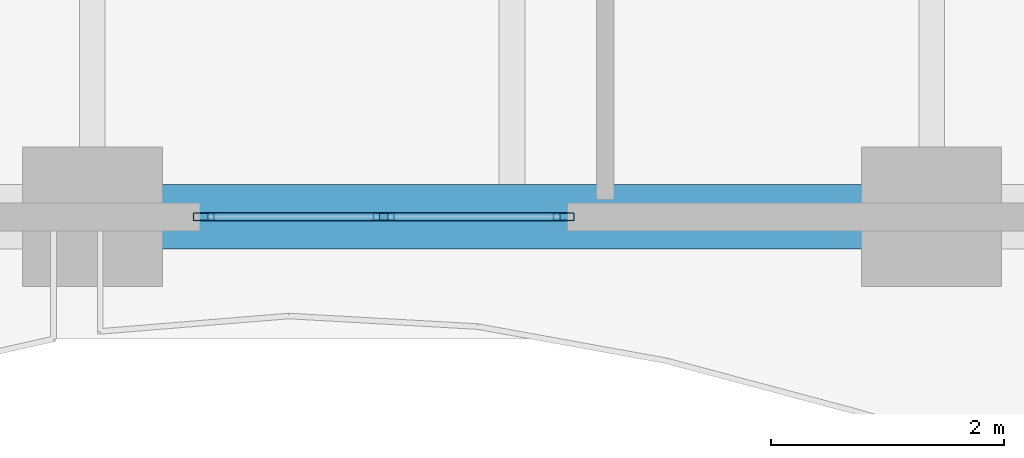
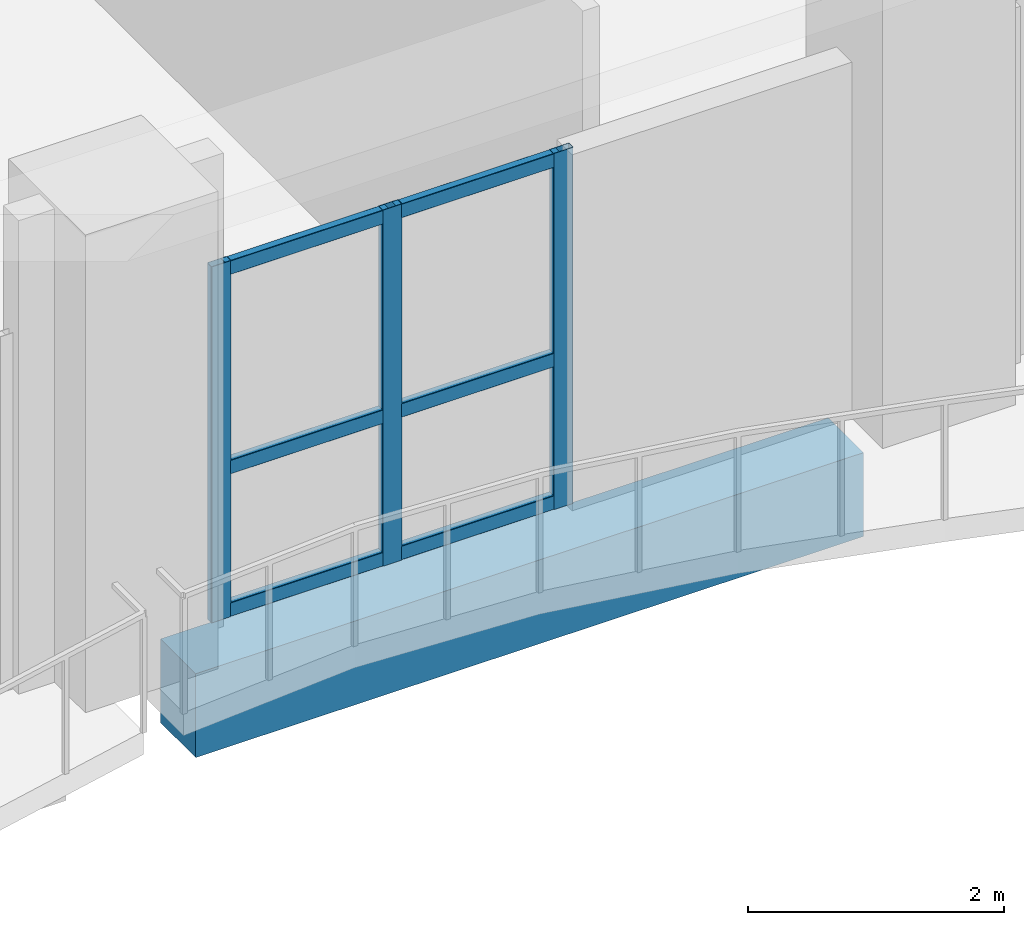
# One storey, part 6 of 37: 9 members, 1 beam, 1 element without a shape of its own.
"""IFC4 building model written with IfcOpenShell, lengths in metres."""

import ifcopenshell
import ifcopenshell.guid

model = None  # the IFC model being written
_history = None  # IfcOwnerHistory: only IFC2X3 demands one
_inside = {}  # id of a spatial element -> (the spatial element, [elements in it])
_under = {}  # id of a project, library or spatial element -> (it, [spatial elements below it])
_declared = {}  # id of a project -> (the project, [libraries it declares])
_typed = {}  # id of a type object -> (the type object, [elements of that type])
_made_of = {}  # id of a material, layer set ... -> (it, [elements and type objects made of it])


def new_model(schema):
    """Start an empty IFC model of exactly this schema.

    Asked for "IFC4X3", IfcOpenShell would pick the latest addendum, in which some entities
    have other attributes; the version numbers below select the first issue.
    IFC2X3 requires an IfcOwnerHistory on every rooted entity: one is made here for all.
    """
    global model, _history
    if schema == "IFC4X3":
        model = ifcopenshell.file(schema_version=(4, 3, 0, 0))
    else:
        model = ifcopenshell.file(schema=schema)
    _inside.clear()
    _under.clear()
    _declared.clear()
    _typed.clear()
    _made_of.clear()
    _history = None
    if model.schema == "IFC2X3":
        org = make("IfcOrganization", Name="unknown")
        user = make(
            "IfcPersonAndOrganization",
            ThePerson=make("IfcPerson", FamilyName="unknown"),
            TheOrganization=org,
        )
        app = make(
            "IfcApplication",
            ApplicationDeveloper=org,
            Version="unknown",
            ApplicationFullName="unknown",
            ApplicationIdentifier="unknown",
        )
        _history = make(
            "IfcOwnerHistory",
            OwningUser=user,
            OwningApplication=app,
            ChangeAction="ADDED",
            CreationDate=0,
        )
    return model


def make(cls, **values):
    """One entity of the class cls with the attributes given. An attribute that is None is left unset."""
    return model.create_entity(
        cls, **{name: value for name, value in values.items() if value is not None}
    )


def rooted(cls, **values):
    """An entity with a GlobalId (a new one), such as an element, a storey or a relation."""
    return make(cls, GlobalId=ifcopenshell.guid.new(), OwnerHistory=_history, **values)


def si_unit(unit_type, name, prefix=None):
    """IfcSIUnit, for example si_unit("LENGTHUNIT", "METRE", prefix="MILLI")."""
    return make("IfcSIUnit", UnitType=unit_type, Prefix=prefix, Name=name)


def assignment(units):
    """IfcUnitAssignment: the units of a project."""
    return None if units is None else make("IfcUnitAssignment", Units=units)


def point(xyz):
    """IfcCartesianPoint."""
    return None if xyz is None else make("IfcCartesianPoint", Coordinates=xyz)


def direction(xyz):
    """IfcDirection."""
    return None if xyz is None else make("IfcDirection", DirectionRatios=xyz)


def frame(location, z_axis=None, x_axis=None):
    """IfcAxis2Placement3D, a coordinate frame: its origin and axes. An axis left out is left unset."""
    return make(
        "IfcAxis2Placement3D",
        Location=point(location),
        Axis=direction(z_axis),
        RefDirection=direction(x_axis),
    )


def frame_2d(location, x_axis=None):
    """IfcAxis2Placement2D, a coordinate frame in the plane: its origin and x axis."""
    return make(
        "IfcAxis2Placement2D", Location=point(location), RefDirection=direction(x_axis)
    )


def origin():
    """The frame at (0, 0, 0) with its axes left unset."""
    return frame((0.0, 0.0, 0.0))


def origin_2d():
    """The frame at (0, 0) in the plane with its x axis left unset."""
    return frame_2d((0.0, 0.0))


def place(relative_to, where):
    """IfcLocalPlacement: puts the frame where relative to a parent placement (None: the world)."""
    return make(
        "IfcLocalPlacement", PlacementRelTo=relative_to, RelativePlacement=where
    )


def context(
    kind, dimensions, precision=None, world=None, true_north=None, identifier=None
):
    """IfcGeometricRepresentationContext, for example the 3D "Model" context."""
    return make(
        "IfcGeometricRepresentationContext",
        ContextIdentifier=identifier,
        ContextType=kind,
        CoordinateSpaceDimension=dimensions,
        Precision=precision,
        WorldCoordinateSystem=world,
        TrueNorth=true_north,
    )


def subcontext(parent, identifier, kind, view, scale=None):
    """IfcGeometricRepresentationSubContext, for example "Body" below "Model"."""
    return make(
        "IfcGeometricRepresentationSubContext",
        ContextIdentifier=identifier,
        ContextType=kind,
        ParentContext=parent,
        TargetScale=scale,
        TargetView=view,
    )


def project(units=None, contexts=None):
    """IfcProject with its units and contexts."""
    return rooted(
        "IfcProject",
        Name="project",
        RepresentationContexts=contexts,
        UnitsInContext=assignment(units),
    )


def spatial(cls, under=None, at=None, **own):
    """A site, building, storey or space (cls), placed at a placement, below another one or the project."""
    s = rooted(cls, ObjectPlacement=at, **own)
    if under is not None:
        _under.setdefault(under.id(), (under, []))[1].append(s)
    return s


def profile(cls, at=None, kind="AREA", **sizes):
    """A parametric profile (cls). Its sizes go by their IFC names, for example OverallWidth=200.0."""
    return make(cls, ProfileType=kind, Position=at, **sizes)


def rectangle(**sizes):
    """IfcRectangleProfileDef."""
    return profile("IfcRectangleProfileDef", **sizes)


def hollow_rectangle(**sizes):
    """IfcRectangleHollowProfileDef."""
    return profile("IfcRectangleHollowProfileDef", **sizes)


def extrude(swept, where, along, depth):
    """IfcExtrudedAreaSolid: the profile swept, set in the frame where, extruded along a direction by depth."""
    return make(
        "IfcExtrudedAreaSolid",
        SweptArea=swept,
        Position=where,
        ExtrudedDirection=direction(along),
        Depth=depth,
    )


def shape(context_of_items, identifier, shape_type, items):
    """IfcShapeRepresentation: the items that make up one representation, for example the "Body"."""
    return make(
        "IfcShapeRepresentation",
        ContextOfItems=context_of_items,
        RepresentationIdentifier=identifier,
        RepresentationType=shape_type,
        Items=items,
    )


def material(Name=None, Category=None):
    """IfcMaterial."""
    return make("IfcMaterial", Name=Name, Category=Category)


def layer(
    of_material, thickness, ventilated=None, Name=None, Category=None, Priority=None
):
    """IfcMaterialLayer: one layer of a wall or slab, of a material (None: an air gap)."""
    return make(
        "IfcMaterialLayer",
        Material=of_material,
        LayerThickness=thickness,
        IsVentilated=ventilated,
        Name=Name,
        Category=Category,
        Priority=Priority,
    )


def layer_set(layers, Name=None):
    """IfcMaterialLayerSet."""
    return make("IfcMaterialLayerSet", MaterialLayers=layers, LayerSetName=Name)


def material_profile(
    of_material, cross_section, Name=None, Category=None, Priority=None
):
    """IfcMaterialProfile: a cross section and its material."""
    return make(
        "IfcMaterialProfile",
        Name=Name,
        Material=of_material,
        Profile=cross_section,
        Priority=Priority,
        Category=Category,
    )


def profile_set(profiles, Name=None, composite=None):
    """IfcMaterialProfileSet."""
    return make(
        "IfcMaterialProfileSet",
        Name=Name,
        MaterialProfiles=profiles,
        CompositeProfile=composite,
    )


def made_of(thing, what):
    """Note that an element or type object is made of a material, layer set ...; save() writes the relation."""
    if what is not None:
        _made_of.setdefault(what.id(), (what, []))[1].append(thing)
    return thing


def type_object(cls, material=None, **own):
    """A type object (cls), such as IfcWallType, which elements share."""
    return made_of(rooted(cls, **own), material)


def element(
    cls,
    number,
    at=None,
    inside=None,
    cuts=None,
    type_object=None,
    material=None,
    context=None,
    identifier="Body",
    shape_type=None,
    held_by="IfcProductDefinitionShape",
    body=None,
    shapes=None,
    **own,
):
    """One element of the class cls, such as IfcWall. Its Tag is "e" and its number.

    at: its placement. inside: the storey or other place that contains it. cuts: it is an
    opening in that element (IfcRelVoidsElement). A single representation is given by context,
    identifier, shape_type and body (its items); several are given by shapes. held_by: the class
    of the entity that holds the representations. save() writes the other relations.
    """
    e = rooted(cls, Tag="e%d" % number, ObjectPlacement=at, **own)
    if body is not None:
        shapes = [shape(context, identifier, shape_type, body)]
    if shapes is not None:
        e.Representation = make(held_by, Representations=shapes)
    if inside is not None:
        _inside.setdefault(inside.id(), (inside, []))[1].append(e)
    if cuts is not None:
        rooted(
            "IfcRelVoidsElement", RelatingBuildingElement=cuts, RelatedOpeningElement=e
        )
    if type_object is not None:
        _typed.setdefault(type_object.id(), (type_object, []))[1].append(e)
    return made_of(e, material)


def aggregate(whole, parts):
    """IfcRelAggregates: a whole, such as a stair, and the parts it consists of."""
    return rooted("IfcRelAggregates", RelatingObject=whole, RelatedObjects=parts)


def save(model, path):
    """Write the relations noted so far, then the file.

    IfcRelAggregates (storeys below a building ...), IfcRelContainedInSpatialStructure (elements
    in a storey), IfcRelDefinesByType, IfcRelAssociatesMaterial and IfcRelDeclares: one each for
    every whole, place, type object, material and project.
    """
    for whole, parts in _under.values():
        aggregate(whole, parts)
    for where, things in _inside.values():
        rooted(
            "IfcRelContainedInSpatialStructure",
            RelatedElements=things,
            RelatingStructure=where,
        )
    for kind, things in _typed.values():
        rooted("IfcRelDefinesByType", RelatedObjects=things, RelatingType=kind)
    for what, things in _made_of.values():
        rooted("IfcRelAssociatesMaterial", RelatedObjects=things, RelatingMaterial=what)
    for by, libraries in _declared.values():
        rooted("IfcRelDeclares", RelatingContext=by, RelatedDefinitions=libraries)
    model.write(path)


model = new_model("IFC4")

# Units and contexts
model_context = context("Model", 3, precision=1e-05, world=origin(), true_north=direction((0.0, 1.0)))
body_context = subcontext(model_context, "Body", "Model", "MODEL_VIEW")
ifc_project = project(units=[si_unit("LENGTHUNIT", "METRE"), si_unit("AREAUNIT", "SQUARE_METRE"), si_unit("VOLUMEUNIT", "CUBIC_METRE"), si_unit("PLANEANGLEUNIT", "RADIAN"), si_unit("MASSUNIT", "GRAM", prefix="KILO")], contexts=[model_context])

# Site, building, storey
site_placement = place(None, origin())
site = spatial("IfcSite", under=ifc_project, at=site_placement, CompositionType="ELEMENT")
building_placement = place(site_placement, origin())
building = spatial("IfcBuilding", under=site, at=building_placement, Name="Kaelvorn Grand Hotel", CompositionType="ELEMENT")
storey_placement = place(building_placement, frame((0.0, 0.0, 224.35009765625)))
storey = spatial("IfcBuildingStorey", under=building, at=storey_placement, Name="L55", CompositionType="ELEMENT", Elevation=224.35009765625)

# Beam
ifc_material_1 = material(Name="Concrete C50/60", Category="concrete")
ifc_material_profile_1 = material_profile(ifc_material_1, rectangle(XDim=0.550048828125, YDim=0.800048828125, at=origin_2d()), Name="RC SPANDREL 550x800")
ifc_profile_set_1 = profile_set([ifc_material_profile_1], Name="Concrete C50/60")
beam_type = type_object("IfcBeamType", Name="BM-SP-550x800-C50", PredefinedType="SPANDREL", material=ifc_profile_set_1)
beam_placement = place(storey_placement, frame((31.18505859375, 3.0, -0.64013671875), z_axis=(1.0, 0.0, 0.0), x_axis=(0.0, 1.0, 0.0)))
element("IfcBeam", 1, at=beam_placement, inside=storey, type_object=beam_type, Name="L55 South Perimeter Spandrel 05", PredefinedType="SPANDREL", context=body_context, shape_type="SweptSolid", body=[
    extrude(rectangle(XDim=0.550048828125, YDim=0.800048828125, at=origin_2d()), origin(), (0.0, 0.0, 1.0), 6.030029296875),
])

# Curtain wall, members
ifc_material_2 = material(Name="Anodised Aluminium", Category="aluminium")
ifc_layer = layer(ifc_material_2, 0.179931640625)
ifc_layer_set = layer_set([ifc_layer], Name="Anodised Aluminium")
curtain_wall_type = type_object("IfcCurtainWallType", Name="CW-SYS4", PredefinedType="NOTDEFINED", material=ifc_layer_set)
curtain_wall_placement = place(storey_placement, origin())
curtain_wall = element("IfcCurtainWall", 2, at=curtain_wall_placement, inside=storey, type_object=curtain_wall_type, Name="L55 Unitised Curtain Wall CW4 (CW-L55-SB2-03)", PredefinedType="NOTDEFINED")
ifc_material_profile_2 = material_profile(ifc_material_2, hollow_rectangle(XDim=0.070068359375, YDim=0.179931640625, WallThickness=0.00390625, InnerFilletRadius=0.00390625, OuterFilletRadius=0.008056640625, at=origin_2d()), Name="ALU MULL 70x180")
ifc_profile_set_2 = profile_set([ifc_material_profile_2], Name="Anodised Aluminium")
member_type_1 = type_object("IfcMemberType", Name="CW-SYS4-MULL", PredefinedType="MULLION", material=ifc_profile_set_2)
member_1_placement = place(storey_placement, frame((31.554931640625, 3.0, 0.0), z_axis=(0.0, 0.0, 1.0), x_axis=(0.0, 1.0, 0.0)))
member_1 = element("IfcMember", 3, at=member_1_placement, type_object=member_type_1, Name="CW4 mullion 1", PredefinedType="MULLION", context=body_context, shape_type="SweptSolid", body=[
    extrude(hollow_rectangle(XDim=0.070068359375, YDim=0.179931640625, WallThickness=0.00390625, InnerFilletRadius=0.00390625, OuterFilletRadius=0.008056640625, at=origin_2d()), origin(), (0.0, 0.0, 1.0), 3.39990234375),
])
member_2_placement = place(storey_placement, frame((33.10009765625, 3.0, 0.0), z_axis=(0.0, 0.0, 1.0), x_axis=(0.0, 1.0, 0.0)))
member_2 = element("IfcMember", 4, at=member_2_placement, type_object=member_type_1, Name="CW4 mullion 2", PredefinedType="MULLION", context=body_context, shape_type="SweptSolid", body=[
    extrude(hollow_rectangle(XDim=0.070068359375, YDim=0.179931640625, WallThickness=0.00390625, InnerFilletRadius=0.00390625, OuterFilletRadius=0.008056640625, at=origin_2d()), origin(), (0.0, 0.0, 1.0), 3.39990234375),
])
member_3_placement = place(storey_placement, frame((34.64501953125, 3.0, 0.0), z_axis=(0.0, 0.0, 1.0), x_axis=(0.0, 1.0, 0.0)))
member_3 = element("IfcMember", 5, at=member_3_placement, type_object=member_type_1, Name="CW4 mullion 3", PredefinedType="MULLION", context=body_context, shape_type="SweptSolid", body=[
    extrude(hollow_rectangle(XDim=0.070068359375, YDim=0.179931640625, WallThickness=0.00390625, InnerFilletRadius=0.00390625, OuterFilletRadius=0.008056640625, at=origin_2d()), origin(), (0.0, 0.0, 1.0), 3.39990234375),
])
ifc_material_profile_3 = material_profile(ifc_material_2, hollow_rectangle(XDim=0.070068359375, YDim=0.135009765625, WallThickness=0.00341796875, InnerFilletRadius=0.00341796875, OuterFilletRadius=0.007080078125, at=origin_2d()), Name="ALU TRAN 70x135")
ifc_profile_set_3 = profile_set([ifc_material_profile_3], Name="Anodised Aluminium")
member_type_2 = type_object("IfcMemberType", Name="CW-SYS4-TRAN", PredefinedType="NOTDEFINED", material=ifc_profile_set_3)
member_4_placement = place(storey_placement, frame((31.590087890625, 3.0, 0.0673828125), z_axis=(1.0, 0.0, 0.0), x_axis=(0.0, 1.0, 0.0)))
member_4 = element("IfcMember", 6, at=member_4_placement, type_object=member_type_2, Name="CW4 transom 1.1", ObjectType="TRANSOM", PredefinedType="USERDEFINED", context=body_context, shape_type="SweptSolid", body=[
    extrude(hollow_rectangle(XDim=0.070068359375, YDim=0.135009765625, WallThickness=0.00341796875, InnerFilletRadius=0.00341796875, OuterFilletRadius=0.007080078125, at=origin_2d()), origin(), (0.0, 0.0, 1.0), 1.474853515625),
])
member_5_placement = place(storey_placement, frame((31.590087890625, 3.0, 1.427978515625), z_axis=(1.0, 0.0, 0.0), x_axis=(0.0, 1.0, 0.0)))
member_5 = element("IfcMember", 7, at=member_5_placement, type_object=member_type_2, Name="CW4 transom 1.2", ObjectType="TRANSOM", PredefinedType="USERDEFINED", context=body_context, shape_type="SweptSolid", body=[
    extrude(hollow_rectangle(XDim=0.070068359375, YDim=0.135009765625, WallThickness=0.00341796875, InnerFilletRadius=0.00341796875, OuterFilletRadius=0.007080078125, at=origin_2d()), origin(), (0.0, 0.0, 1.0), 1.474853515625),
])
member_6_placement = place(storey_placement, frame((31.590087890625, 3.0, 3.33251953125), z_axis=(1.0, 0.0, 0.0), x_axis=(0.0, 1.0, 0.0)))
member_6 = element("IfcMember", 8, at=member_6_placement, type_object=member_type_2, Name="CW4 transom 1.3", ObjectType="TRANSOM", PredefinedType="USERDEFINED", context=body_context, shape_type="SweptSolid", body=[
    extrude(hollow_rectangle(XDim=0.070068359375, YDim=0.135009765625, WallThickness=0.00341796875, InnerFilletRadius=0.00341796875, OuterFilletRadius=0.007080078125, at=origin_2d()), origin(), (0.0, 0.0, 1.0), 1.474853515625),
])
member_7_placement = place(storey_placement, frame((33.135009765625, 3.0, 0.0673828125), z_axis=(1.0, 0.0, 0.0), x_axis=(0.0, 1.0, 0.0)))
member_7 = element("IfcMember", 9, at=member_7_placement, type_object=member_type_2, Name="CW4 transom 2.1", ObjectType="TRANSOM", PredefinedType="USERDEFINED", context=body_context, shape_type="SweptSolid", body=[
    extrude(hollow_rectangle(XDim=0.070068359375, YDim=0.135009765625, WallThickness=0.00341796875, InnerFilletRadius=0.00341796875, OuterFilletRadius=0.007080078125, at=origin_2d()), origin(), (0.0, 0.0, 1.0), 1.47509765625),
])
member_8_placement = place(storey_placement, frame((33.135009765625, 3.0, 1.427978515625), z_axis=(1.0, 0.0, 0.0), x_axis=(0.0, 1.0, 0.0)))
member_8 = element("IfcMember", 10, at=member_8_placement, type_object=member_type_2, Name="CW4 transom 2.2", ObjectType="TRANSOM", PredefinedType="USERDEFINED", context=body_context, shape_type="SweptSolid", body=[
    extrude(hollow_rectangle(XDim=0.070068359375, YDim=0.135009765625, WallThickness=0.00341796875, InnerFilletRadius=0.00341796875, OuterFilletRadius=0.007080078125, at=origin_2d()), origin(), (0.0, 0.0, 1.0), 1.47509765625),
])
member_9_placement = place(storey_placement, frame((33.135009765625, 3.0, 3.33251953125), z_axis=(1.0, 0.0, 0.0), x_axis=(0.0, 1.0, 0.0)))
member_9 = element("IfcMember", 11, at=member_9_placement, type_object=member_type_2, Name="CW4 transom 2.3", ObjectType="TRANSOM", PredefinedType="USERDEFINED", context=body_context, shape_type="SweptSolid", body=[
    extrude(hollow_rectangle(XDim=0.070068359375, YDim=0.135009765625, WallThickness=0.00341796875, InnerFilletRadius=0.00341796875, OuterFilletRadius=0.007080078125, at=origin_2d()), origin(), (0.0, 0.0, 1.0), 1.47509765625),
])
aggregate(curtain_wall, [member_1, member_2, member_3, member_4, member_5, member_6, member_7, member_8, member_9])

save(model, "model.ifc")
